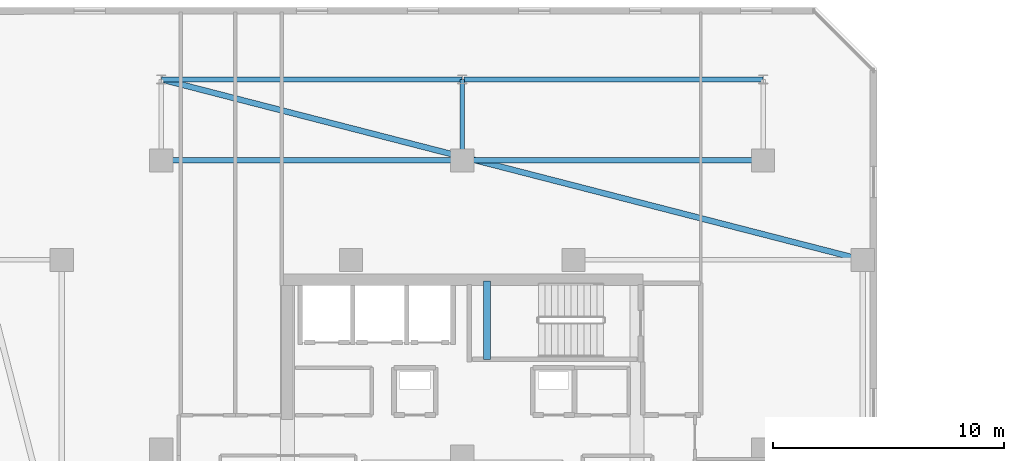
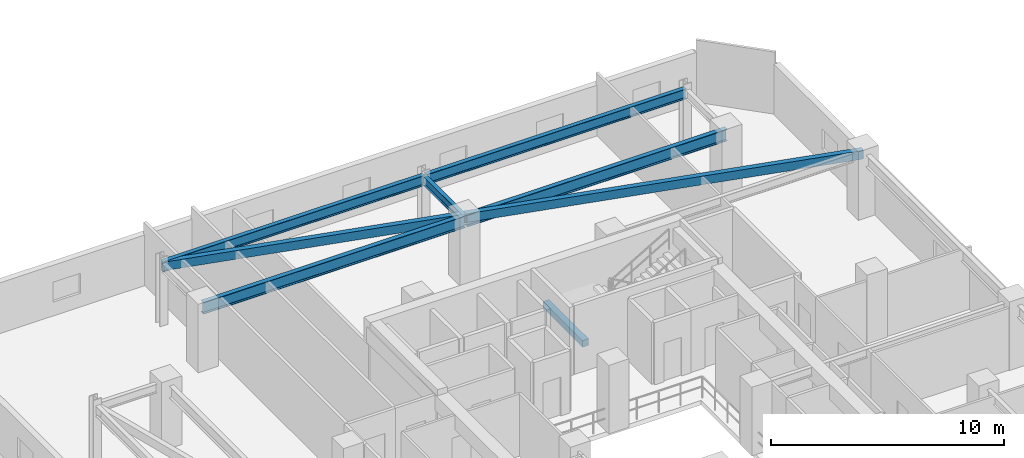
# One storey, part 8 of 33: 7 beams.
"""IFC4 building model written with IfcOpenShell, lengths in metres."""

from ifc_helpers import new_model, si_unit, direction, frame, origin, origin_2d, place, context, subcontext, project, spatial, rectangle, hollow_rectangle, i_section, extrude, material, material_profile, profile_set, type_object, element, save


model = new_model("IFC4")

# Units and contexts
model_context = context("Model", 3, precision=1e-05, world=origin(), true_north=direction((0.0, 1.0)))
body_context = subcontext(model_context, "Body", "Model", "MODEL_VIEW")
ifc_project = project(units=[si_unit("LENGTHUNIT", "METRE"), si_unit("AREAUNIT", "SQUARE_METRE"), si_unit("VOLUMEUNIT", "CUBIC_METRE"), si_unit("PLANEANGLEUNIT", "RADIAN"), si_unit("MASSUNIT", "GRAM", prefix="KILO")], contexts=[model_context])

# Site, building, storey
site_placement = place(None, origin())
site = spatial("IfcSite", under=ifc_project, at=site_placement, CompositionType="ELEMENT")
building_placement = place(site_placement, origin())
building = spatial("IfcBuilding", under=site, at=building_placement, Name="Thornwick Lancets Civic Towers", CompositionType="ELEMENT")
storey_placement = place(building_placement, frame((0.0, 0.0, 218.10009765625)))
storey = spatial("IfcBuildingStorey", under=building, at=storey_placement, Name="L58", CompositionType="ELEMENT", Elevation=218.10009765625)

# Beams
ifc_material_1 = material(Name="Steel S355JR", Category="steel")
ifc_material_profile_1 = material_profile(ifc_material_1, i_section(OverallWidth=0.210693359375, OverallDepth=0.53955078125, WebThickness=0.01171875, FlangeThickness=0.018798828125, FilletRadius=0.0126953125, at=origin_2d()), Name="UKB 533x210x109")
ifc_profile_set_1 = profile_set([ifc_material_profile_1], Name="Steel S355JR")
beam_type_1 = type_object("IfcBeamType", Name="BM_EDGE_533_109", PredefinedType="SPANDREL", material=ifc_profile_set_1)
beam_1_placement = place(storey_placement, frame((12.5, 47.800048828125, 3.01025390625), z_axis=(1.0, 0.0, 0.0), x_axis=(0.0, 1.0, 0.0)))
element("IfcBeam", 1, at=beam_1_placement, inside=storey, type_object=beam_type_1, Name="BM-EDGE-L58-A-S2-1", PredefinedType="SPANDREL", context=body_context, shape_type="SweptSolid", body=[
    extrude(i_section(OverallWidth=0.210693359375, OverallDepth=0.53955078125, WebThickness=0.01171875, FlangeThickness=0.018798828125, FilletRadius=0.0126953125, at=origin_2d()), origin(), (0.0, 0.0, 1.0), 13.0),
])
beam_2_placement = place(storey_placement, frame((25.580078125, 47.800048828125, 3.01025390625), z_axis=(1.0, 0.0, 0.0), x_axis=(0.0, 1.0, 0.0)))
element("IfcBeam", 2, at=beam_2_placement, inside=storey, type_object=beam_type_1, Name="BM-EDGE-L58-A-S2-2", PredefinedType="SPANDREL", context=body_context, shape_type="SweptSolid", body=[
    extrude(i_section(OverallWidth=0.210693359375, OverallDepth=0.53955078125, WebThickness=0.01171875, FlangeThickness=0.018798828125, FilletRadius=0.0126953125, at=origin_2d()), origin(), (0.0, 0.0, 1.0), 12.919921875),
])
ifc_material_profile_2 = material_profile(ifc_material_1, i_section(OverallWidth=0.230224609375, OverallDepth=0.6171875, WebThickness=0.01318359375, FlangeThickness=0.022216796875, FilletRadius=0.0126953125, at=origin_2d()), Name="UKB 610x229x140")
ifc_profile_set_2 = profile_set([ifc_material_profile_2], Name="Steel S355JR")
beam_type_2 = type_object("IfcBeamType", Name="BM_GIRD_610_140", PredefinedType="BEAM", material=ifc_profile_set_2)
beam_3_placement = place(storey_placement, frame((12.5, 44.300048828125, 2.97119140625), z_axis=(1.0, 0.0, 0.0), x_axis=(0.0, 1.0, 0.0)))
element("IfcBeam", 3, at=beam_3_placement, inside=storey, type_object=beam_type_2, Name="BM-SPINE-L58-A-6-7", PredefinedType="BEAM", context=body_context, shape_type="SweptSolid", body=[
    extrude(i_section(OverallWidth=0.230224609375, OverallDepth=0.6171875, WebThickness=0.01318359375, FlangeThickness=0.022216796875, FilletRadius=0.0126953125, at=origin_2d()), origin(), (0.0, 0.0, 1.0), 13.0),
])
beam_4_placement = place(storey_placement, frame((25.580078125, 44.300048828125, 2.97119140625), z_axis=(1.0, 0.0, 0.0), x_axis=(0.0, 1.0, 0.0)))
element("IfcBeam", 4, at=beam_4_placement, inside=storey, type_object=beam_type_2, Name="BM-SPINE-L58-A-7-8", PredefinedType="BEAM", context=body_context, shape_type="SweptSolid", body=[
    extrude(i_section(OverallWidth=0.230224609375, OverallDepth=0.6171875, WebThickness=0.01318359375, FlangeThickness=0.022216796875, FilletRadius=0.0126953125, at=origin_2d()), origin(), (0.0, 0.0, 1.0), 12.919921875),
])
ifc_material_profile_3 = material_profile(ifc_material_1, i_section(OverallWidth=0.19189453125, OverallDepth=0.46337890625, WebThickness=0.010498046875, FlangeThickness=0.017578125, FilletRadius=0.01025390625, at=origin_2d()), Name="UKB 457x191x89")
ifc_profile_set_3 = profile_set([ifc_material_profile_3], Name="Steel S355JR")
beam_type_3 = type_object("IfcBeamType", Name="BM_JOIST_457_89", PredefinedType="JOIST", material=ifc_profile_set_3)
beam_5_placement = place(storey_placement, frame((25.5, 44.300048828125, 3.048095703125), z_axis=(0.0, 1.0, 0.0), x_axis=(-1.0, 0.0, 0.0)))
element("IfcBeam", 5, at=beam_5_placement, inside=storey, type_object=beam_type_3, Name="BM-RAD-L58-A08", PredefinedType="JOIST", context=body_context, shape_type="SweptSolid", body=[
    extrude(i_section(OverallWidth=0.19189453125, OverallDepth=0.46337890625, WebThickness=0.010498046875, FlangeThickness=0.017578125, FilletRadius=0.01025390625, at=origin_2d()), origin(), (0.0, 0.0, 1.0), 3.5),
])
ifc_material_profile_4 = material_profile(ifc_material_1, hollow_rectangle(XDim=0.25, YDim=0.449951171875, WallThickness=0.01611328125, at=origin_2d()), Name="RHS 450x250x16")
ifc_profile_set_4 = profile_set([ifc_material_profile_4], Name="Steel S355JR")
beam_type_4 = type_object("IfcBeamType", Name="BM_RING_RHS450", PredefinedType="BEAM", material=ifc_profile_set_4)
beam_6_placement = place(storey_placement, frame((42.800048828125, 40.0, 3.054931640625), z_axis=(-0.96842654257, 0.249299080716, 0.0), x_axis=(-0.249299080716, -0.96842654257, 0.0)))
element("IfcBeam", 6, at=beam_6_placement, inside=storey, type_object=beam_type_4, Name="BM-CHAMF-L58-A-C1", PredefinedType="BEAM", context=body_context, shape_type="SweptSolid", body=[
    extrude(hollow_rectangle(XDim=0.25, YDim=0.449951171875, WallThickness=0.01611328125, at=origin_2d()), origin(), (0.0, 0.0, 1.0), 31.287841796875),
])
ifc_material_2 = material(Name="Concrete C40/50", Category="concrete")
ifc_material_profile_5 = material_profile(ifc_material_2, rectangle(XDim=0.300048828125, YDim=0.35009765625, at=origin_2d()), Name="RC 300x350")
ifc_profile_set_5 = profile_set([ifc_material_profile_5], Name="Concrete C40/50")
beam_type_5 = type_object("IfcBeamType", Name="BM_STAIR_LDG", PredefinedType="BEAM", material=ifc_profile_set_5)
beam_7_placement = place(storey_placement, frame((26.56494140625, 39.10009765625, 1.3779296875), z_axis=(0.0, -1.0, 0.0), x_axis=(1.0, 0.0, 0.0)))
element("IfcBeam", 7, at=beam_7_placement, inside=storey, type_object=beam_type_5, Name="L58 ST-A2 Landing Support Beam 1", PredefinedType="BEAM", context=body_context, shape_type="SweptSolid", body=[
    extrude(rectangle(XDim=0.300048828125, YDim=0.35009765625, at=origin_2d()), origin(), (0.0, 0.0, 1.0), 3.400146484375),
])

save(model, "model.ifc")
